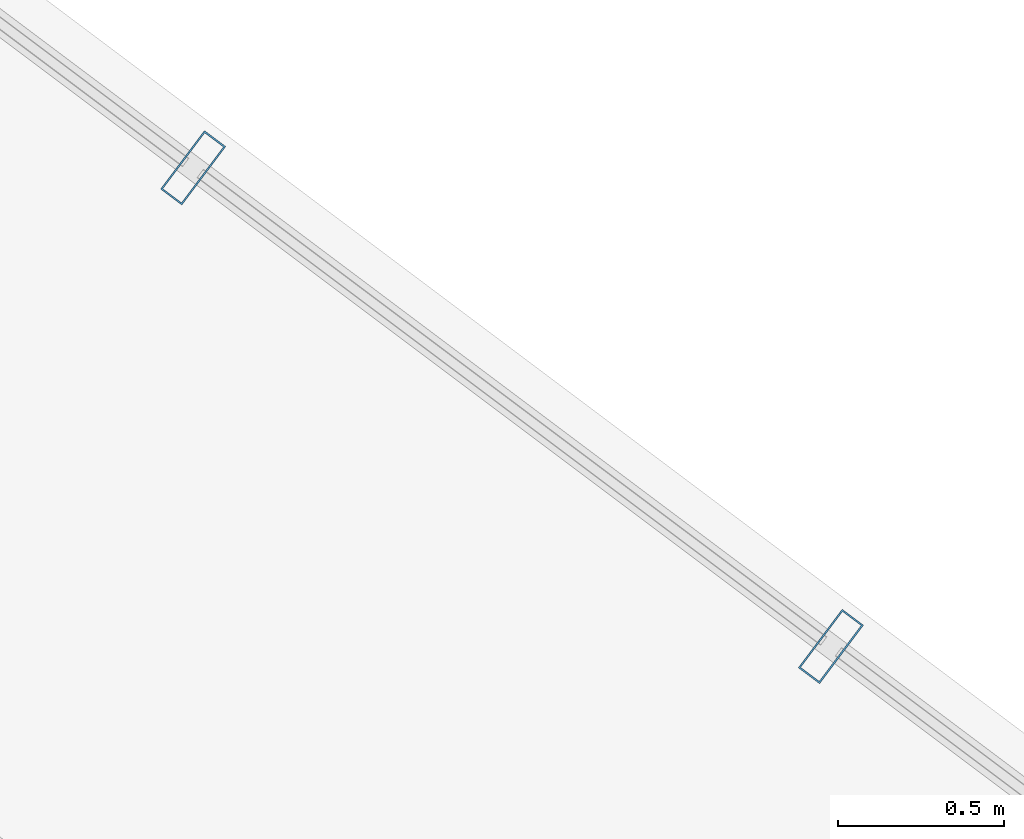
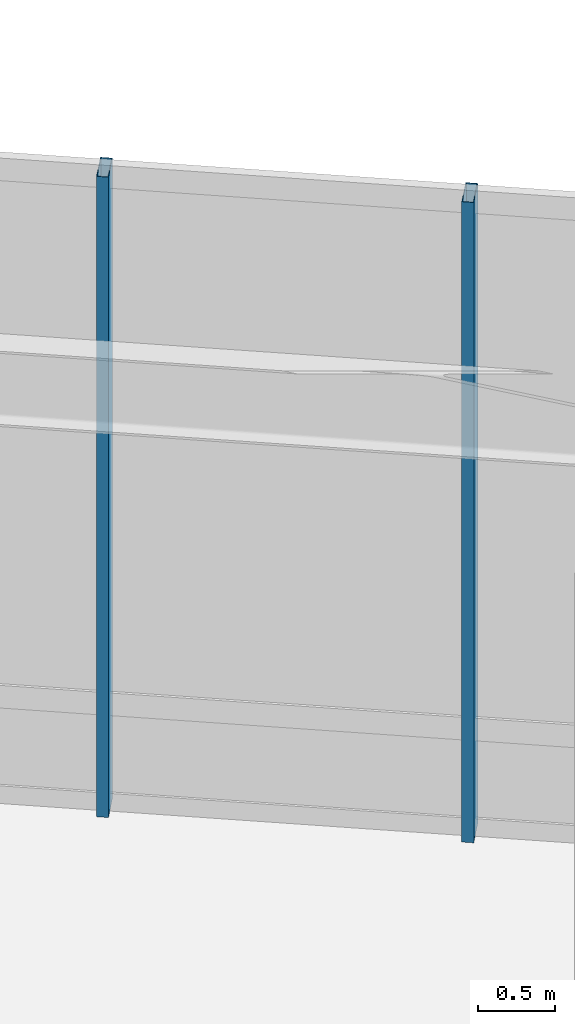
# One storey, part 9 of 35: 2 members, 1 element without a shape of its own.
"""IFC4 building model written with IfcOpenShell, lengths in metres."""

from ifc_helpers import new_model, si_unit, direction, frame, origin, origin_2d, place, context, subcontext, project, spatial, hollow_rectangle, extrude, material, layer, layer_set, material_profile, profile_set, type_object, element, aggregate, save


model = new_model("IFC4")

# Units and contexts
model_context = context("Model", 3, precision=1e-05, world=origin(), true_north=direction((0.0, 1.0)))
body_context = subcontext(model_context, "Body", "Model", "MODEL_VIEW")
ifc_project = project(units=[si_unit("LENGTHUNIT", "METRE"), si_unit("AREAUNIT", "SQUARE_METRE"), si_unit("VOLUMEUNIT", "CUBIC_METRE"), si_unit("PLANEANGLEUNIT", "RADIAN"), si_unit("MASSUNIT", "GRAM", prefix="KILO")], contexts=[model_context])

# Site, building, storey
site_placement = place(None, origin())
site = spatial("IfcSite", under=ifc_project, at=site_placement, CompositionType="ELEMENT")
building_placement = place(site_placement, origin())
building = spatial("IfcBuilding", under=site, at=building_placement, Name="Hatsunagi Terrace Concourse", CompositionType="ELEMENT")
storey_placement = place(building_placement, frame((0.0, 0.0, 5.39990234375)))
storey = spatial("IfcBuildingStorey", under=building, at=storey_placement, Name="L02", CompositionType="ELEMENT", Elevation=5.39990234375)

# Curtain wall, members
ifc_material_1 = material(Name="Anodised Aluminium Alloy 6063-T5", Category="aluminium")
ifc_layer = layer(ifc_material_1, 0.199951171875)
ifc_layer_set = layer_set([ifc_layer], Name="PodiumStorefront_CW01")
curtain_wall_type = type_object("IfcCurtainWallType", Name="PodiumStorefront_CW01", PredefinedType="NOTDEFINED", material=ifc_layer_set)
curtain_wall_placement = place(storey_placement, origin())
curtain_wall = element("IfcCurtainWall", 1, at=curtain_wall_placement, inside=storey, type_object=curtain_wall_type, Name="Unitised Curtain Wall CW-01 CW-L02-01", PredefinedType="NOTDEFINED")
ifc_material_2 = material(Name="Anodised Aluminium Alloy 6063-T5", Category="aluminium")
ifc_material_profile = material_profile(ifc_material_2, hollow_rectangle(XDim=0.080078125, YDim=0.219970703125, WallThickness=0.0048828125, at=origin_2d()), Name="ALU-MUL-220x80x5")
ifc_profile_set = profile_set([ifc_material_profile], Name="Anodised Aluminium Alloy 6063-T5")
member_type = type_object("IfcMemberType", Name="CurtainWallMullion_Heavy_220x80", PredefinedType="MULLION", material=ifc_profile_set)
member_1_placement = place(storey_placement, frame((56.385009765625, 32.0869140625, 0.0), z_axis=(0.0, 0.0, 1.0), x_axis=(0.800007305671, -0.599990258982, 0.0)))
member_1 = element("IfcMember", 2, at=member_1_placement, type_object=member_type, Name="Curtain Wall Mullion MUL-01", PredefinedType="MULLION", context=body_context, shape_type="SweptSolid", body=[
    extrude(hollow_rectangle(XDim=0.080078125, YDim=0.219970703125, WallThickness=0.0048828125, at=origin_2d()), origin(), (0.0, 0.0, 1.0), 5.10009765625),
])
member_2_placement = place(storey_placement, frame((58.304931640625, 30.64599609375, 0.0), z_axis=(0.0, 0.0, 1.0), x_axis=(0.800007305671, -0.599990258982, 0.0)))
member_2 = element("IfcMember", 3, at=member_2_placement, type_object=member_type, Name="Curtain Wall Mullion MUL-01", PredefinedType="MULLION", context=body_context, shape_type="SweptSolid", body=[
    extrude(hollow_rectangle(XDim=0.080078125, YDim=0.219970703125, WallThickness=0.0048828125, at=origin_2d()), origin(), (0.0, 0.0, 1.0), 5.10009765625),
])
aggregate(curtain_wall, [member_1, member_2])

save(model, "model.ifc")
